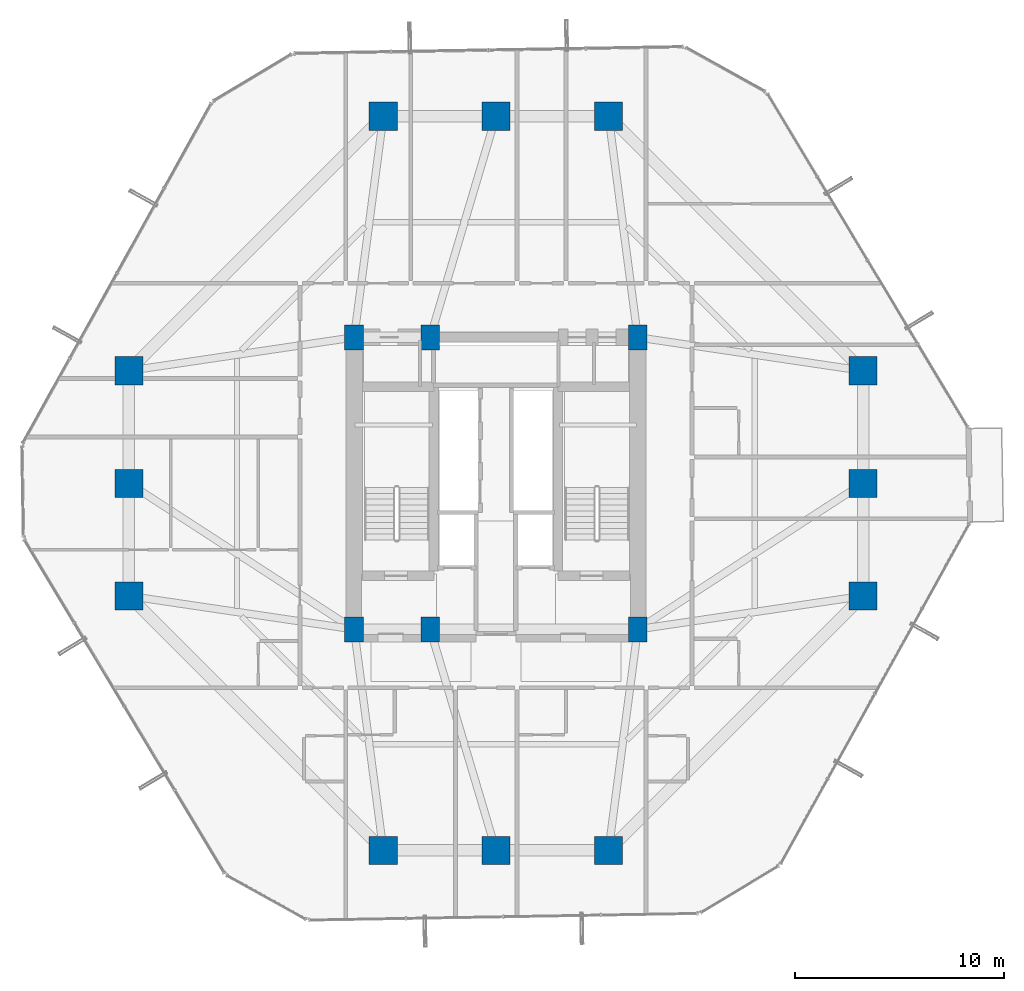
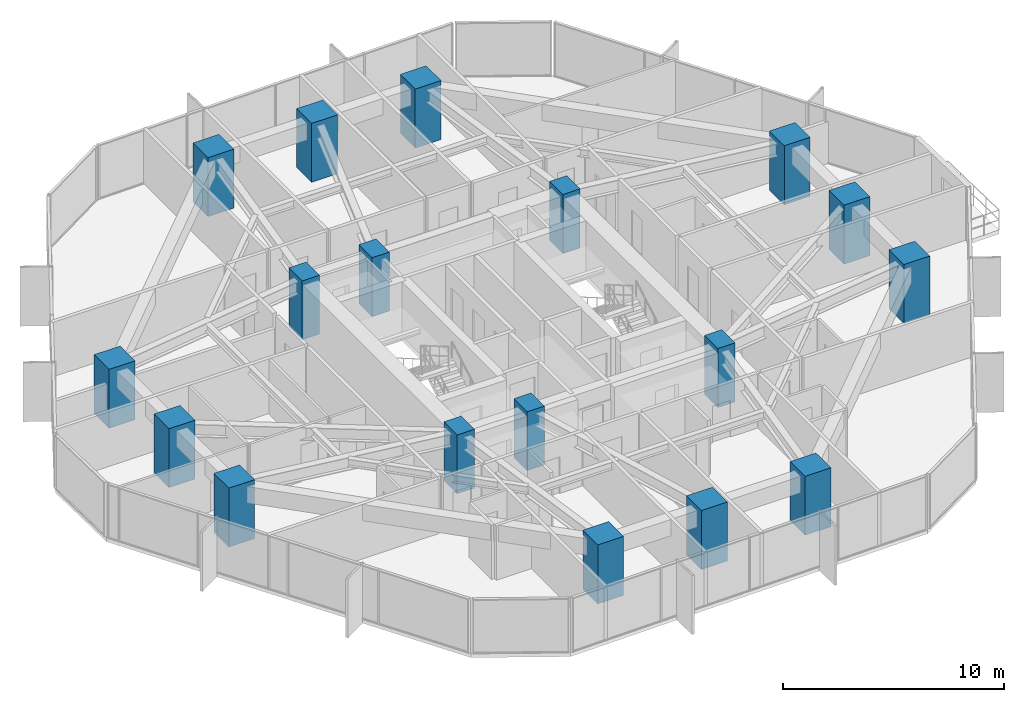
# One storey, part 1 of 39: 18 columns.
"""IFC4 building model written with IfcOpenShell, lengths in metres."""

from ifc_helpers import new_model, si_unit, direction, frame, origin, origin_2d, place, context, subcontext, project, spatial, rectangle, extrude, material, material_profile, profile_set, type_object, element, save


model = new_model("IFC4")

# Units and contexts
model_context = context("Model", 3, precision=1e-05, world=origin(), true_north=direction((0.0, 1.0)))
body_context = subcontext(model_context, "Body", "Model", "MODEL_VIEW")
ifc_project = project(units=[si_unit("LENGTHUNIT", "METRE"), si_unit("AREAUNIT", "SQUARE_METRE"), si_unit("VOLUMEUNIT", "CUBIC_METRE"), si_unit("PLANEANGLEUNIT", "RADIAN"), si_unit("MASSUNIT", "GRAM", prefix="KILO")], contexts=[model_context])

# Site, building, storey
site_placement = place(None, origin())
site = spatial("IfcSite", under=ifc_project, at=site_placement, CompositionType="ELEMENT")
building_placement = place(site_placement, origin())
building = spatial("IfcBuilding", under=site, at=building_placement, Name="Veraguas Prism Commons", CompositionType="ELEMENT")
storey_placement = place(building_placement, frame((0.0, 0.0, 27.300048828125)))
storey = spatial("IfcBuildingStorey", under=building, at=storey_placement, Name="L06", CompositionType="ELEMENT", Elevation=27.300048828125)

# Columns
ifc_material = material(Name="Concrete C60/75", Category="concrete")
ifc_material_profile_1 = material_profile(ifc_material, rectangle(XDim=1.35009765625, YDim=1.35009765625, at=origin_2d()), Name="RC1350X1350")
ifc_profile_set_1 = profile_set([ifc_material_profile_1], Name="Concrete C60/75")
column_type_1 = type_object("IfcColumnType", Name="Column Tube Z1 RC 1350x1350", PredefinedType="COLUMN", material=ifc_profile_set_1)
for number, where, z_axis, x_axis, name in (
    (1, (41.60009765625, 18.60009765625, 0.0), (0.0, 0.0, 1.0), (1.0, 0.0, 0.0), "Tower Perimeter Column L06-TB01"),
    (2, (41.60009765625, 24.0, 0.0), (0.0, 0.0, 1.0), (1.0, 0.0, 0.0), "Tower Perimeter Column L06-TB02"),
    (3, (41.60009765625, 29.39990234375, 0.0), (0.0, 0.0, 1.0), (1.0, 0.0, 0.0), "Tower Perimeter Column L06-TB03"),
    (4, (29.39990234375, 41.60009765625, 0.0), (0.0, 0.0, 1.0), (1.0, 0.0, 0.0), "Tower Perimeter Column L06-TB04"),
    (5, (24.0, 41.60009765625, 0.0), (0.0, 0.0, 1.0), (1.0, 0.0, 0.0), "Tower Perimeter Column L06-TB05"),
    (6, (18.60009765625, 41.60009765625, 0.0), (0.0, 0.0, 1.0), (1.0, 0.0, 0.0), "Tower Perimeter Column L06-TB06"),
    (7, (6.39990234375, 29.39990234375, 0.0), (0.0, 0.0, 1.0), (1.0, 0.0, 0.0), "Tower Perimeter Column L06-TB07"),
    (8, (6.39990234375, 24.0, 0.0), (0.0, 0.0, 1.0), (1.0, 0.0, 0.0), "Tower Perimeter Column L06-TB08"),
    (9, (6.39990234375, 18.60009765625, 0.0), (0.0, 0.0, 1.0), (1.0, 0.0, 0.0), "Tower Perimeter Column L06-TB09"),
    (10, (18.60009765625, 6.39990234375, 0.0), (0.0, 0.0, 1.0), (1.0, 0.0, 0.0), "Tower Perimeter Column L06-TB10"),
    (11, (24.0, 6.39990234375, 0.0), (0.0, 0.0, 1.0), (1.0, 0.0, 0.0), "Tower Perimeter Column L06-TB11"),
    (12, (29.39990234375, 6.39990234375, 0.0), (0.0, 0.0, 1.0), (1.0, 0.0, 0.0), "Tower Perimeter Column L06-TB12"),
):
    element("IfcColumn", number, at=place(storey_placement, frame(where, z_axis=z_axis, x_axis=x_axis)), inside=storey, type_object=column_type_1, Name=name, PredefinedType="COLUMN", context=body_context, shape_type="SweptSolid", body=[
        extrude(rectangle(XDim=1.35009765625, YDim=1.35009765625, at=origin_2d()), origin(), (0.0, 0.0, 1.0), 3.25),
    ])
ifc_material_profile_2 = material_profile(ifc_material, rectangle(XDim=0.89990234375, YDim=1.199951171875, at=origin_2d()), Name="RC900X1200")
ifc_profile_set_2 = profile_set([ifc_material_profile_2], Name="Concrete C60/75")
column_type_2 = type_object("IfcColumnType", Name="Pilaster Core Lower RC 900x1200", PredefinedType="PILASTER", material=ifc_profile_set_2)
for number, where, z_axis, x_axis, name in (
    (13, (17.199951171875, 17.0, 0.0), (0.0, 0.0, 1.0), (1.0, 0.0, 0.0), "Core Pilaster Column L06-CR1"),
    (14, (20.85009765625, 17.0, 0.0), (0.0, 0.0, 1.0), (1.0, 0.0, 0.0), "Core Pilaster Column L06-CR2"),
    (15, (30.800048828125, 17.0, 0.0), (0.0, 0.0, 1.0), (1.0, 0.0, 0.0), "Core Pilaster Column L06-CR3"),
    (16, (17.199951171875, 31.0, 0.0), (0.0, 0.0, 1.0), (1.0, 0.0, 0.0), "Core Pilaster Column L06-CR4"),
    (17, (20.85009765625, 31.0, 0.0), (0.0, 0.0, 1.0), (1.0, 0.0, 0.0), "Core Pilaster Column L06-CR5"),
    (18, (30.800048828125, 31.0, 0.0), (0.0, 0.0, 1.0), (1.0, 0.0, 0.0), "Core Pilaster Column L06-CR6"),
):
    element("IfcColumn", number, at=place(storey_placement, frame(where, z_axis=z_axis, x_axis=x_axis)), inside=storey, type_object=column_type_2, Name=name, PredefinedType="PILASTER", context=body_context, shape_type="SweptSolid", body=[
        extrude(rectangle(XDim=0.89990234375, YDim=1.199951171875, at=origin_2d()), origin(), (0.0, 0.0, 1.0), 3.25),
    ])

save(model, "model.ifc")
